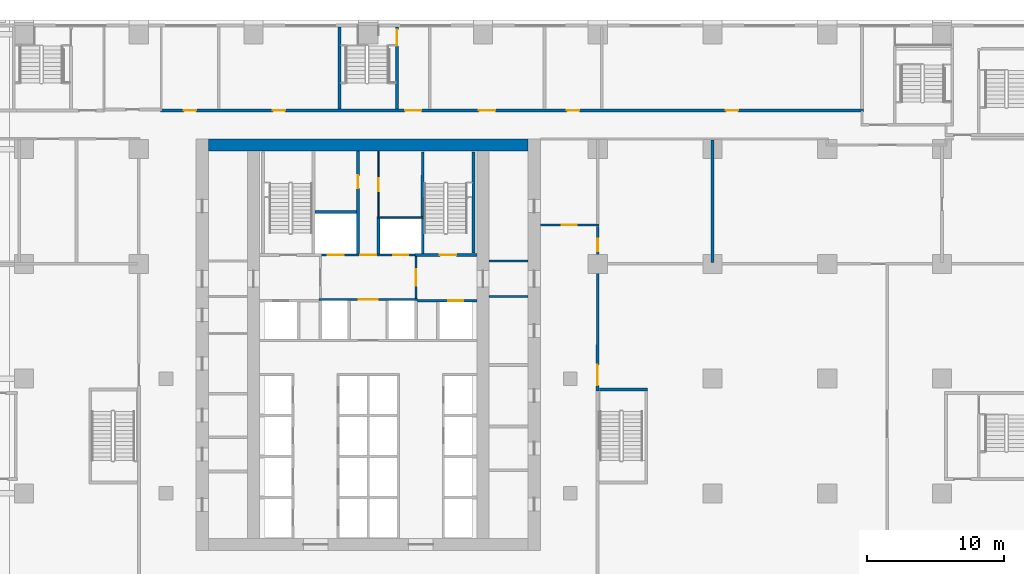
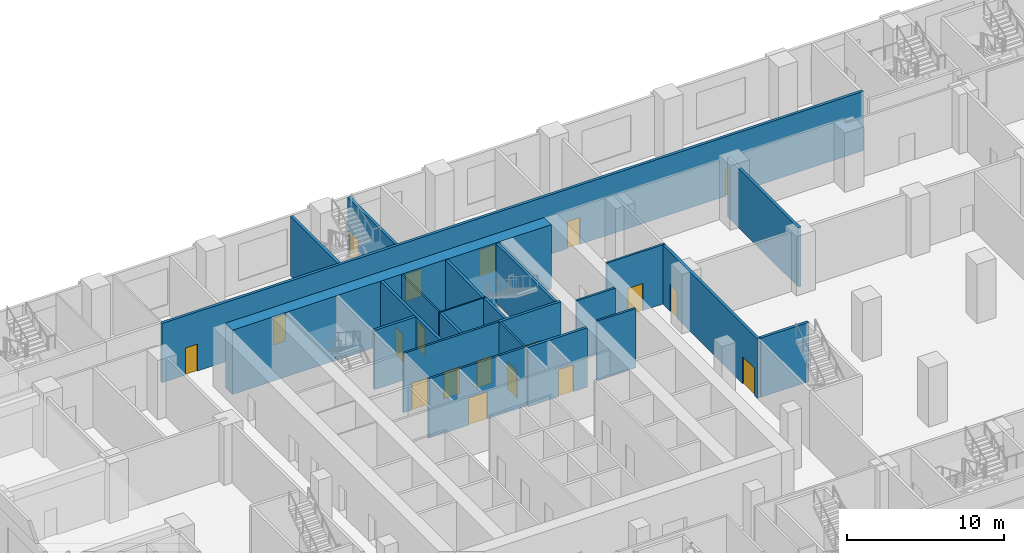
# One storey, part 14 of 29: 23 walls, 19 doors, 19 openings.
"""IFC4 building model written with IfcOpenShell, lengths in metres."""

import ifcopenshell
import ifcopenshell.guid

model = None  # the IFC model being written
_history = None  # IfcOwnerHistory: only IFC2X3 demands one
_inside = {}  # id of a spatial element -> (the spatial element, [elements in it])
_under = {}  # id of a project, library or spatial element -> (it, [spatial elements below it])
_declared = {}  # id of a project -> (the project, [libraries it declares])
_typed = {}  # id of a type object -> (the type object, [elements of that type])
_made_of = {}  # id of a material, layer set ... -> (it, [elements and type objects made of it])


def new_model(schema):
    """Start an empty IFC model of exactly this schema.

    Asked for "IFC4X3", IfcOpenShell would pick the latest addendum, in which some entities
    have other attributes; the version numbers below select the first issue.
    IFC2X3 requires an IfcOwnerHistory on every rooted entity: one is made here for all.
    """
    global model, _history
    if schema == "IFC4X3":
        model = ifcopenshell.file(schema_version=(4, 3, 0, 0))
    else:
        model = ifcopenshell.file(schema=schema)
    _inside.clear()
    _under.clear()
    _declared.clear()
    _typed.clear()
    _made_of.clear()
    _history = None
    if model.schema == "IFC2X3":
        org = make("IfcOrganization", Name="unknown")
        user = make(
            "IfcPersonAndOrganization",
            ThePerson=make("IfcPerson", FamilyName="unknown"),
            TheOrganization=org,
        )
        app = make(
            "IfcApplication",
            ApplicationDeveloper=org,
            Version="unknown",
            ApplicationFullName="unknown",
            ApplicationIdentifier="unknown",
        )
        _history = make(
            "IfcOwnerHistory",
            OwningUser=user,
            OwningApplication=app,
            ChangeAction="ADDED",
            CreationDate=0,
        )
    return model


def make(cls, **values):
    """One entity of the class cls with the attributes given. An attribute that is None is left unset."""
    return model.create_entity(
        cls, **{name: value for name, value in values.items() if value is not None}
    )


def rooted(cls, **values):
    """An entity with a GlobalId (a new one), such as an element, a storey or a relation."""
    return make(cls, GlobalId=ifcopenshell.guid.new(), OwnerHistory=_history, **values)


def si_unit(unit_type, name, prefix=None):
    """IfcSIUnit, for example si_unit("LENGTHUNIT", "METRE", prefix="MILLI")."""
    return make("IfcSIUnit", UnitType=unit_type, Prefix=prefix, Name=name)


def assignment(units):
    """IfcUnitAssignment: the units of a project."""
    return None if units is None else make("IfcUnitAssignment", Units=units)


def point(xyz):
    """IfcCartesianPoint."""
    return None if xyz is None else make("IfcCartesianPoint", Coordinates=xyz)


def direction(xyz):
    """IfcDirection."""
    return None if xyz is None else make("IfcDirection", DirectionRatios=xyz)


def frame(location, z_axis=None, x_axis=None):
    """IfcAxis2Placement3D, a coordinate frame: its origin and axes. An axis left out is left unset."""
    return make(
        "IfcAxis2Placement3D",
        Location=point(location),
        Axis=direction(z_axis),
        RefDirection=direction(x_axis),
    )


def frame_2d(location, x_axis=None):
    """IfcAxis2Placement2D, a coordinate frame in the plane: its origin and x axis."""
    return make(
        "IfcAxis2Placement2D", Location=point(location), RefDirection=direction(x_axis)
    )


def origin():
    """The frame at (0, 0, 0) with its axes left unset."""
    return frame((0.0, 0.0, 0.0))


def place(relative_to, where):
    """IfcLocalPlacement: puts the frame where relative to a parent placement (None: the world)."""
    return make(
        "IfcLocalPlacement", PlacementRelTo=relative_to, RelativePlacement=where
    )


def context(
    kind, dimensions, precision=None, world=None, true_north=None, identifier=None
):
    """IfcGeometricRepresentationContext, for example the 3D "Model" context."""
    return make(
        "IfcGeometricRepresentationContext",
        ContextIdentifier=identifier,
        ContextType=kind,
        CoordinateSpaceDimension=dimensions,
        Precision=precision,
        WorldCoordinateSystem=world,
        TrueNorth=true_north,
    )


def subcontext(parent, identifier, kind, view, scale=None):
    """IfcGeometricRepresentationSubContext, for example "Body" below "Model"."""
    return make(
        "IfcGeometricRepresentationSubContext",
        ContextIdentifier=identifier,
        ContextType=kind,
        ParentContext=parent,
        TargetScale=scale,
        TargetView=view,
    )


def project(units=None, contexts=None):
    """IfcProject with its units and contexts."""
    return rooted(
        "IfcProject",
        Name="project",
        RepresentationContexts=contexts,
        UnitsInContext=assignment(units),
    )


def spatial(cls, under=None, at=None, **own):
    """A site, building, storey or space (cls), placed at a placement, below another one or the project."""
    s = rooted(cls, ObjectPlacement=at, **own)
    if under is not None:
        _under.setdefault(under.id(), (under, []))[1].append(s)
    return s


def profile(cls, at=None, kind="AREA", **sizes):
    """A parametric profile (cls). Its sizes go by their IFC names, for example OverallWidth=200.0."""
    return make(cls, ProfileType=kind, Position=at, **sizes)


def rectangle(**sizes):
    """IfcRectangleProfileDef."""
    return profile("IfcRectangleProfileDef", **sizes)


def extrude(swept, where, along, depth):
    """IfcExtrudedAreaSolid: the profile swept, set in the frame where, extruded along a direction by depth."""
    return make(
        "IfcExtrudedAreaSolid",
        SweptArea=swept,
        Position=where,
        ExtrudedDirection=direction(along),
        Depth=depth,
    )


def shape(context_of_items, identifier, shape_type, items):
    """IfcShapeRepresentation: the items that make up one representation, for example the "Body"."""
    return make(
        "IfcShapeRepresentation",
        ContextOfItems=context_of_items,
        RepresentationIdentifier=identifier,
        RepresentationType=shape_type,
        Items=items,
    )


def material(Name=None, Category=None):
    """IfcMaterial."""
    return make("IfcMaterial", Name=Name, Category=Category)


def layer(
    of_material, thickness, ventilated=None, Name=None, Category=None, Priority=None
):
    """IfcMaterialLayer: one layer of a wall or slab, of a material (None: an air gap)."""
    return make(
        "IfcMaterialLayer",
        Material=of_material,
        LayerThickness=thickness,
        IsVentilated=ventilated,
        Name=Name,
        Category=Category,
        Priority=Priority,
    )


def layer_set(layers, Name=None):
    """IfcMaterialLayerSet."""
    return make("IfcMaterialLayerSet", MaterialLayers=layers, LayerSetName=Name)


def made_of(thing, what):
    """Note that an element or type object is made of a material, layer set ...; save() writes the relation."""
    if what is not None:
        _made_of.setdefault(what.id(), (what, []))[1].append(thing)
    return thing


def type_object(cls, material=None, **own):
    """A type object (cls), such as IfcWallType, which elements share."""
    return made_of(rooted(cls, **own), material)


def element(
    cls,
    number,
    at=None,
    inside=None,
    cuts=None,
    type_object=None,
    material=None,
    context=None,
    identifier="Body",
    shape_type=None,
    held_by="IfcProductDefinitionShape",
    body=None,
    shapes=None,
    **own,
):
    """One element of the class cls, such as IfcWall. Its Tag is "e" and its number.

    at: its placement. inside: the storey or other place that contains it. cuts: it is an
    opening in that element (IfcRelVoidsElement). A single representation is given by context,
    identifier, shape_type and body (its items); several are given by shapes. held_by: the class
    of the entity that holds the representations. save() writes the other relations.
    """
    e = rooted(cls, Tag="e%d" % number, ObjectPlacement=at, **own)
    if body is not None:
        shapes = [shape(context, identifier, shape_type, body)]
    if shapes is not None:
        e.Representation = make(held_by, Representations=shapes)
    if inside is not None:
        _inside.setdefault(inside.id(), (inside, []))[1].append(e)
    if cuts is not None:
        rooted(
            "IfcRelVoidsElement", RelatingBuildingElement=cuts, RelatedOpeningElement=e
        )
    if type_object is not None:
        _typed.setdefault(type_object.id(), (type_object, []))[1].append(e)
    return made_of(e, material)


def fill(opening, filler):
    """IfcRelFillsElement: the door or window that sits in an opening."""
    return rooted(
        "IfcRelFillsElement",
        RelatingOpeningElement=opening,
        RelatedBuildingElement=filler,
    )


def aggregate(whole, parts):
    """IfcRelAggregates: a whole, such as a stair, and the parts it consists of."""
    return rooted("IfcRelAggregates", RelatingObject=whole, RelatedObjects=parts)


def save(model, path):
    """Write the relations noted so far, then the file.

    IfcRelAggregates (storeys below a building ...), IfcRelContainedInSpatialStructure (elements
    in a storey), IfcRelDefinesByType, IfcRelAssociatesMaterial and IfcRelDeclares: one each for
    every whole, place, type object, material and project.
    """
    for whole, parts in _under.values():
        aggregate(whole, parts)
    for where, things in _inside.values():
        rooted(
            "IfcRelContainedInSpatialStructure",
            RelatedElements=things,
            RelatingStructure=where,
        )
    for kind, things in _typed.values():
        rooted("IfcRelDefinesByType", RelatedObjects=things, RelatingType=kind)
    for what, things in _made_of.values():
        rooted("IfcRelAssociatesMaterial", RelatedObjects=things, RelatingMaterial=what)
    for by, libraries in _declared.values():
        rooted("IfcRelDeclares", RelatingContext=by, RelatedDefinitions=libraries)
    model.write(path)


model = new_model("IFC4")

# Units and contexts
model_context = context("Model", 3, precision=1e-05, world=origin(), true_north=direction((0.0, 1.0)))
body_context = subcontext(model_context, "Body", "Model", "MODEL_VIEW")
ifc_project = project(units=[si_unit("LENGTHUNIT", "METRE"), si_unit("AREAUNIT", "SQUARE_METRE"), si_unit("VOLUMEUNIT", "CUBIC_METRE"), si_unit("PLANEANGLEUNIT", "RADIAN"), si_unit("MASSUNIT", "GRAM", prefix="KILO")], contexts=[model_context])

# Site, building, storey
site_placement = place(None, origin())
site = spatial("IfcSite", under=ifc_project, at=site_placement, CompositionType="ELEMENT")
building_placement = place(site_placement, origin())
building = spatial("IfcBuilding", under=site, at=building_placement, Name="Vermilion Ogive Tower", CompositionType="ELEMENT")
storey_placement = place(building_placement, frame((0.0, 0.0, 7.5)))
storey = spatial("IfcBuildingStorey", under=building, at=storey_placement, Name="L01", CompositionType="ELEMENT", Elevation=7.5)

# Wall
ifc_material_1 = material(Name="Gypsum board partition on steel studs", Category="steel")
ifc_layer_1 = layer(ifc_material_1, 0.10009765625)
ifc_layer_set_1 = layer_set([ifc_layer_1], Name="Partition 100 bath")
wall_type_1 = type_object("IfcWallType", Name="Partition 100 bath", PredefinedType="PARTITIONING", material=ifc_layer_set_1)
wall_1_placement = place(storey_placement, frame((0.64990234375, 16.0, 0.0), z_axis=(0.0, 0.0, 1.0), x_axis=(1.0, 0.0, 0.0)))
element("IfcWall", 1, at=wall_1_placement, inside=storey, type_object=wall_type_1, Name="L01-CK-W-W020", PredefinedType="PARTITIONING", context=body_context, shape_type="SweptSolid", body=[
    extrude(rectangle(XDim=3.4501953125, YDim=0.10009765625, at=frame_2d((1.72509765625, 0.0))), origin(), (0.0, 0.0, 1.0), 4.60009765625),
])

# Wall, opening, door
wall_2_placement = place(storey_placement, frame((0.75, 16.050048828125, 0.0), z_axis=(0.0, 0.0, 1.0), x_axis=(0.0, 1.0, 0.0)))
wall_2 = element("IfcWall", 2, at=wall_2_placement, inside=storey, type_object=wall_type_1, Name="L01-CK-W-W032", PredefinedType="PARTITIONING", context=body_context, shape_type="SweptSolid", body=[
    extrude(rectangle(XDim=4.799072265625, YDim=0.10009765625, at=frame_2d((2.3994140625, 0.0))), origin(), (0.0, 0.0, 1.0), 4.60009765625),
])
opening_1_placement = place(wall_2_placement, frame((1.875, 0.0, 0.0)))
opening_1 = element("IfcOpeningElement", 3, at=opening_1_placement, cuts=wall_2, Name="Opening DAB038", PredefinedType="OPENING", context=body_context, shape_type="SweptSolid", body=[
    extrude(rectangle(XDim=0.949951171875, YDim=2.10009765625, at=frame_2d((0.47509765625, 1.050048828125))), frame((0.0, 0.06005859375, 0.0), z_axis=(0.0, -1.0, 0.0), x_axis=(1.0, 0.0, 0.0)), (0.0, 0.0, 1.0), 0.1201171875),
])
ifc_material_2 = material(Name="Timber door leaf", Category="wood")
door_type_1 = type_object("IfcDoorType", Name="Service door 950 x 2100 FD60", OperationType="SINGLE_SWING_LEFT", PredefinedType="DOOR", material=ifc_material_2)
door_1_placement = place(opening_1_placement, origin())
door_1 = element("IfcDoor", 4, at=door_1_placement, inside=storey, type_object=door_type_1, Name="L01-CK-D-D021", OperationType="SINGLE_SWING_LEFT", OverallHeight=2.10009765625, OverallWidth=0.949951171875, PredefinedType="DOOR", context=body_context, shape_type="SweptSolid", body=[
    extrude(rectangle(XDim=0.949951171875, YDim=2.10009765625, at=frame_2d((0.47509765625, 1.050048828125))), frame((0.0, 0.02490234375, 0.0), z_axis=(0.0, -1.0, 0.0), x_axis=(1.0, 0.0, 0.0)), (0.0, 0.0, 1.0), 0.050048828125),
])
fill(opening_1, door_1)

ifc_material_3 = material(Name="Gypsum board partition on steel studs", Category="steel")
ifc_layer_2 = layer(ifc_material_3, 0.14990234375)
ifc_layer_set_2 = layer_set([ifc_layer_2], Name="Partition 150 corridor")
wall_type_2 = type_object("IfcWallType", Name="Partition 150 corridor", PredefinedType="PARTITIONING", material=ifc_layer_set_2)
wall_3_placement = place(storey_placement, frame((12.60107421875, 15.449951171875, 0.0), z_axis=(0.0, 0.0, 1.0), x_axis=(1.0, 0.0, 0.0)))
wall_3 = element("IfcWall", 5, at=wall_3_placement, inside=storey, type_object=wall_type_2, Name="L01-FS-W-W029", PredefinedType="PARTITIONING", context=body_context, shape_type="SweptSolid", body=[
    extrude(rectangle(XDim=4.298828125, YDim=0.14990234375, at=frame_2d((2.1494140625, 0.0))), origin(), (0.0, 0.0, 1.0), 4.60009765625),
])
opening_2_placement = place(wall_3_placement, frame((1.549072265625, 0.0, 0.0)))
opening_2 = element("IfcOpeningElement", 6, at=opening_2_placement, cuts=wall_3, Name="Opening L01S022", PredefinedType="OPENING", context=body_context, shape_type="SweptSolid", body=[
    extrude(rectangle(XDim=1.10009765625, YDim=2.10009765625, at=frame_2d((0.550048828125, 1.050048828125))), frame((0.0, 0.0849609375, 0.0), z_axis=(0.0, -1.0, 0.0), x_axis=(1.0, 0.0, 0.0)), (0.0, 0.0, 1.0), 0.169921875),
])
ifc_material_4 = material(Name="Timber door leaf", Category="wood")
door_type_2 = type_object("IfcDoorType", Name="Fire door 1100 x 2100 FD30", OperationType="SINGLE_SWING_LEFT", PredefinedType="DOOR", material=ifc_material_4)
door_2_placement = place(opening_2_placement, origin())
door_2 = element("IfcDoor", 7, at=door_2_placement, inside=storey, type_object=door_type_2, Name="L01-FS-D-D022", OperationType="SINGLE_SWING_LEFT", OverallHeight=2.10009765625, OverallWidth=1.10009765625, PredefinedType="DOOR", context=body_context, shape_type="SweptSolid", body=[
    extrude(rectangle(XDim=1.10009765625, YDim=2.10009765625, at=frame_2d((0.550048828125, 1.050048828125))), frame((0.0, 0.02490234375, 0.0), z_axis=(0.0, -1.0, 0.0), x_axis=(1.0, 0.0, 0.0)), (0.0, 0.0, 1.0), 0.050048828125),
])
fill(opening_2, door_2)

wall_4_placement = place(storey_placement, frame((-3.60009765625, 10.0, 0.0), z_axis=(0.0, 0.0, 1.0), x_axis=(1.0, 0.0, 0.0)))
wall_4 = element("IfcWall", 8, at=wall_4_placement, inside=storey, type_object=wall_type_2, Name="L01-CK-W-W016", PredefinedType="PARTITIONING", context=body_context, shape_type="SweptSolid", body=[
    extrude(rectangle(XDim=7.2001953125, YDim=0.14990234375, at=frame_2d((3.60009765625, 0.0))), origin(), (0.0, 0.0, 1.0), 4.60009765625),
])
opening_3_placement = place(wall_4_placement, frame((2.900146484375, 0.0, 0.0)))
opening_3 = element("IfcOpeningElement", 9, at=opening_3_placement, cuts=wall_4, Name="Opening DAB035", PredefinedType="OPENING", context=body_context, shape_type="SweptSolid", body=[
    extrude(rectangle(XDim=1.39990234375, YDim=2.10009765625, at=frame_2d((0.699951171875, 1.050048828125))), frame((0.0, 0.0849609375, 0.0), z_axis=(0.0, -1.0, 0.0), x_axis=(1.0, 0.0, 0.0)), (0.0, 0.0, 1.0), 0.169921875),
])
ifc_material_5 = material(Name="Timber door leaf", Category="wood")
door_type_3 = type_object("IfcDoorType", Name="Lobby door 1400 x 2100 FD60S", OperationType="SINGLE_SWING_LEFT", PredefinedType="DOOR", material=ifc_material_5)
door_3_placement = place(opening_3_placement, origin())
door_3 = element("IfcDoor", 10, at=door_3_placement, inside=storey, type_object=door_type_3, Name="L01-CK-D-D016", OperationType="SINGLE_SWING_RIGHT", OverallHeight=2.10009765625, OverallWidth=1.39990234375, PredefinedType="DOOR", context=body_context, shape_type="SweptSolid", body=[
    extrude(rectangle(XDim=1.39990234375, YDim=2.10009765625, at=frame_2d((0.699951171875, 1.050048828125))), frame((0.0, 0.02490234375, 0.0), z_axis=(0.0, -1.0, 0.0), x_axis=(1.0, 0.0, 0.0)), (0.0, 0.0, 1.0), 0.050048828125),
])
fill(opening_3, door_3)

# Wall, openings, doors
wall_5_placement = place(storey_placement, frame((-3.574951171875, 13.25, 0.0), z_axis=(0.0, 0.0, 1.0), x_axis=(1.0, 0.0, 0.0)))
wall_5 = element("IfcWall", 11, at=wall_5_placement, inside=storey, type_object=wall_type_2, Name="L01-CK-W-W018", PredefinedType="PARTITIONING", context=body_context, shape_type="SweptSolid", body=[
    extrude(rectangle(XDim=7.14990234375, YDim=0.14990234375, at=frame_2d((3.574951171875, 0.0))), origin(), (0.0, 0.0, 1.0), 4.60009765625),
])
opening_4_placement = place(wall_5_placement, frame((0.599853515625, 0.0, 0.0)))
opening_4 = element("IfcOpeningElement", 12, at=opening_4_placement, cuts=wall_5, Name="Opening DAB054", PredefinedType="OPENING", context=body_context, shape_type="SweptSolid", body=[
    extrude(rectangle(XDim=1.199951171875, YDim=2.10009765625, at=frame_2d((0.60009765625, 1.050048828125))), frame((0.0, 0.0849609375, 0.0), z_axis=(0.0, -1.0, 0.0), x_axis=(1.0, 0.0, 0.0)), (0.0, 0.0, 1.0), 0.169921875),
])
opening_5_placement = place(wall_5_placement, frame((5.39990234375, 0.0, 0.0)))
opening_5 = element("IfcOpeningElement", 13, at=opening_5_placement, cuts=wall_5, Name="Opening DAB045", PredefinedType="OPENING", context=body_context, shape_type="SweptSolid", body=[
    extrude(rectangle(XDim=1.10009765625, YDim=2.10009765625, at=frame_2d((0.550048828125, 1.050048828125))), frame((0.0, 0.0849609375, 0.0), z_axis=(0.0, -1.0, 0.0), x_axis=(1.0, 0.0, 0.0)), (0.0, 0.0, 1.0), 0.169921875),
])
opening_6_placement = place(wall_5_placement, frame((2.974853515625, 0.0, 0.0)))
opening_6 = element("IfcOpeningElement", 14, at=opening_6_placement, cuts=wall_5, Name="Opening DAB036", PredefinedType="OPENING", context=body_context, shape_type="SweptSolid", body=[
    extrude(rectangle(XDim=1.199951171875, YDim=2.10009765625, at=frame_2d((0.60009765625, 1.050048828125))), frame((0.0, 0.0849609375, 0.0), z_axis=(0.0, -1.0, 0.0), x_axis=(1.0, 0.0, 0.0)), (0.0, 0.0, 1.0), 0.169921875),
])
ifc_material_6 = material(Name="Stainless steel", Category="steel")
door_type_4 = type_object("IfcDoorType", Name="Lift landing door 1100 x 2100", OperationType="SLIDING_TO_LEFT", PredefinedType="DOOR", material=ifc_material_6)
door_4_placement = place(opening_5_placement, origin())
door_4 = element("IfcDoor", 15, at=door_4_placement, inside=storey, type_object=door_type_4, Name="L01-CK-D-D018", OperationType="SLIDING_TO_LEFT", OverallHeight=2.10009765625, OverallWidth=1.10009765625, PredefinedType="DOOR", context=body_context, shape_type="SweptSolid", body=[
    extrude(rectangle(XDim=1.10009765625, YDim=2.10009765625, at=frame_2d((0.550048828125, 1.050048828125))), frame((0.0, 0.02490234375, 0.0), z_axis=(0.0, -1.0, 0.0), x_axis=(1.0, 0.0, 0.0)), (0.0, 0.0, 1.0), 0.050048828125),
])
fill(opening_5, door_4)
ifc_material_7 = material(Name="Stainless steel", Category="steel")
door_type_5 = type_object("IfcDoorType", Name="Lift landing door 1200 x 2100", OperationType="SLIDING_TO_LEFT", PredefinedType="DOOR", material=ifc_material_7)
door_5_placement = place(opening_4_placement, origin())
door_5 = element("IfcDoor", 16, at=door_5_placement, inside=storey, type_object=door_type_5, Name="L01-CK-D-D017", OperationType="SLIDING_TO_RIGHT", OverallHeight=2.10009765625, OverallWidth=1.199951171875, PredefinedType="DOOR", context=body_context, shape_type="SweptSolid", body=[
    extrude(rectangle(XDim=1.199951171875, YDim=2.10009765625, at=frame_2d((0.60009765625, 1.050048828125))), frame((0.0, 0.02490234375, 0.0), z_axis=(0.0, -1.0, 0.0), x_axis=(1.0, 0.0, 0.0)), (0.0, 0.0, 1.0), 0.050048828125),
])
fill(opening_4, door_5)
ifc_material_8 = material(Name="Timber door leaf", Category="wood")
door_type_6 = type_object("IfcDoorType", Name="Service door 1200 x 2100 FD60", OperationType="SINGLE_SWING_LEFT", PredefinedType="DOOR", material=ifc_material_8)
door_6_placement = place(opening_6_placement, origin())
door_6 = element("IfcDoor", 17, at=door_6_placement, inside=storey, type_object=door_type_6, Name="L01-CK-D-D019", OperationType="SINGLE_SWING_RIGHT", OverallHeight=2.10009765625, OverallWidth=1.199951171875, PredefinedType="DOOR", context=body_context, shape_type="SweptSolid", body=[
    extrude(rectangle(XDim=1.199951171875, YDim=2.10009765625, at=frame_2d((0.60009765625, 1.050048828125))), frame((0.0, 0.02490234375, 0.0), z_axis=(0.0, -1.0, 0.0), x_axis=(1.0, 0.0, 0.0)), (0.0, 0.0, 1.0), 0.050048828125),
])
fill(opening_6, door_6)

# Wall, opening, door
wall_6_placement = place(storey_placement, frame((3.5, 10.074951171875, 0.0), z_axis=(0.0, 0.0, 1.0), x_axis=(0.0, 1.0, 0.0)))
wall_6 = element("IfcWall", 18, at=wall_6_placement, inside=storey, type_object=wall_type_2, Name="L01-CK-W-W036", PredefinedType="PARTITIONING", context=body_context, shape_type="SweptSolid", body=[
    extrude(rectangle(XDim=3.074951171875, YDim=0.14990234375, at=frame_2d((1.53759765625, 0.0))), origin(), (0.0, 0.0, 1.0), 4.60009765625),
])
opening_7_placement = place(wall_6_placement, frame((0.925048828125, 0.0, 0.0)))
opening_7 = element("IfcOpeningElement", 19, at=opening_7_placement, cuts=wall_6, Name="Opening DAB033", PredefinedType="OPENING", context=body_context, shape_type="SweptSolid", body=[
    extrude(rectangle(XDim=1.199951171875, YDim=2.10009765625, at=frame_2d((0.60009765625, 1.050048828125))), frame((0.0, 0.0849609375, 0.0), z_axis=(0.0, -1.0, 0.0), x_axis=(1.0, 0.0, 0.0)), (0.0, 0.0, 1.0), 0.169921875),
])
ifc_material_9 = material(Name="Timber door leaf", Category="wood")
door_type_7 = type_object("IfcDoorType", Name="Lobby door 1200 x 2100 FD60S", OperationType="SINGLE_SWING_LEFT", PredefinedType="DOOR", material=ifc_material_9)
door_7_placement = place(opening_7_placement, origin())
door_7 = element("IfcDoor", 20, at=door_7_placement, inside=storey, type_object=door_type_7, Name="L01-CK-D-D023", OperationType="SINGLE_SWING_LEFT", OverallHeight=2.10009765625, OverallWidth=1.199951171875, PredefinedType="DOOR", context=body_context, shape_type="SweptSolid", body=[
    extrude(rectangle(XDim=1.199951171875, YDim=2.10009765625, at=frame_2d((0.60009765625, 1.050048828125))), frame((0.0, 0.02490234375, 0.0), z_axis=(0.0, -1.0, 0.0), x_axis=(1.0, 0.0, 0.0)), (0.0, 0.0, 1.0), 0.050048828125),
])
fill(opening_7, door_7)

# Walls
for number, where, z_axis, x_axis, name in (
    (21, (8.85107421875, 10.199951171875, 0.0), (0.0, 0.0, 1.0), (1.0, 0.0, 0.0), "L01-CKE-W-W004"),
    (22, (8.85107421875, 12.800048828125, 0.0), (0.0, 0.0, 1.0), (1.0, 0.0, 0.0), "L01-CKE-W-W005"),
):
    element("IfcWall", number, at=place(storey_placement, frame(where, z_axis=z_axis, x_axis=x_axis)), inside=storey, type_object=wall_type_2, Name=name, PredefinedType="PARTITIONING", context=body_context, shape_type="SweptSolid", body=[
        extrude(rectangle(XDim=2.847900390625, YDim=0.14990234375, at=frame_2d((1.423828125, 0.0))), origin(), (0.0, 0.0, 1.0), 4.60009765625),
    ])
ifc_material_10 = material(Name="Gypsum board partition on steel studs", Category="steel")
ifc_layer_3 = layer(ifc_material_10, 0.199951171875)
ifc_layer_set_3 = layer_set([ifc_layer_3], Name="Partition 200 party")
wall_type_3 = type_object("IfcWallType", Name="Partition 200 party", PredefinedType="PARTITIONING", material=ifc_layer_set_3)
wall_7_placement = place(storey_placement, frame((25.199951171875, 12.699951171875, 0.0), z_axis=(0.0, 0.0, 1.0), x_axis=(0.0, 1.0, 0.0)))
element("IfcWall", 23, at=wall_7_placement, inside=storey, type_object=wall_type_3, Name="L01-FS-W-W086", PredefinedType="PARTITIONING", context=body_context, shape_type="SweptSolid", body=[
    extrude(rectangle(XDim=8.97509765625, YDim=0.199951171875, at=frame_2d((4.487548828125, 0.0))), origin(), (0.0, 0.0, 1.0), 4.60009765625),
])

# Wall, opening, door
wall_8_placement = place(storey_placement, frame((3.60009765625, 9.89990234375, 0.0), z_axis=(0.0, 0.0, 1.0), x_axis=(1.0, 0.0, 0.0)))
wall_8 = element("IfcWall", 24, at=wall_8_placement, inside=storey, type_object=wall_type_3, Name="L01-CK-W-W015", PredefinedType="PARTITIONING", context=body_context, shape_type="SweptSolid", body=[
    extrude(rectangle(XDim=4.348876953125, YDim=0.199951171875, at=frame_2d((2.17431640625, 0.0))), origin(), (0.0, 0.0, 1.0), 4.60009765625),
])
opening_8_placement = place(wall_8_placement, frame((2.25, 0.0, 0.0)))
opening_8 = element("IfcOpeningElement", 25, at=opening_8_placement, cuts=wall_8, Name="Opening DAB044", PredefinedType="OPENING", context=body_context, shape_type="SweptSolid", body=[
    extrude(rectangle(XDim=1.10009765625, YDim=2.10009765625, at=frame_2d((0.550048828125, 1.050048828125))), frame((0.0, 0.10986328125, 0.0), z_axis=(0.0, -1.0, 0.0), x_axis=(1.0, 0.0, 0.0)), (0.0, 0.0, 1.0), 0.219970703125),
])
door_8_placement = place(opening_8_placement, origin())
door_8 = element("IfcDoor", 26, at=door_8_placement, inside=storey, type_object=door_type_4, Name="L01-CK-D-D014", OperationType="SLIDING_TO_LEFT", OverallHeight=2.10009765625, OverallWidth=1.10009765625, PredefinedType="DOOR", context=body_context, shape_type="SweptSolid", body=[
    extrude(rectangle(XDim=1.10009765625, YDim=2.10009765625, at=frame_2d((0.550048828125, 1.050048828125))), frame((0.0, 0.02490234375, 0.0), z_axis=(0.0, -1.0, 0.0), x_axis=(1.0, 0.0, 0.0)), (0.0, 0.0, 1.0), 0.050048828125),
])
fill(opening_8, door_8)

# Wall
wall_9_placement = place(storey_placement, frame((-3.89990234375, 16.39990234375, 0.0), z_axis=(0.0, 0.0, 1.0), x_axis=(1.0, 0.0, 0.0)))
element("IfcWall", 27, at=wall_9_placement, inside=storey, type_object=wall_type_3, Name="L01-CK-W-W021", PredefinedType="PARTITIONING", context=body_context, shape_type="SweptSolid", body=[
    extrude(rectangle(XDim=3.0498046875, YDim=0.199951171875, at=frame_2d((1.52490234375, 0.0))), origin(), (0.0, 0.0, 1.0), 4.60009765625),
])

# Wall, opening, door
wall_10_placement = place(storey_placement, frame((-0.75, 13.324951171875, 0.0), z_axis=(0.0, 0.0, 1.0), x_axis=(0.0, 1.0, 0.0)))
wall_10 = element("IfcWall", 28, at=wall_10_placement, inside=storey, type_object=wall_type_3, Name="L01-CK-W-W029", PredefinedType="PARTITIONING", context=body_context, shape_type="SweptSolid", body=[
    extrude(rectangle(XDim=7.524169921875, YDim=0.199951171875, at=frame_2d((3.76220703125, 0.0))), origin(), (0.0, 0.0, 1.0), 4.60009765625),
])
opening_9_placement = place(wall_10_placement, frame((4.800048828125, 0.0, 0.0)))
opening_9 = element("IfcOpeningElement", 29, at=opening_9_placement, cuts=wall_10, Name="Opening DAB037", PredefinedType="OPENING", context=body_context, shape_type="SweptSolid", body=[
    extrude(rectangle(XDim=0.949951171875, YDim=2.10009765625, at=frame_2d((0.47509765625, 1.050048828125))), frame((0.0, 0.10986328125, 0.0), z_axis=(0.0, -1.0, 0.0), x_axis=(1.0, 0.0, 0.0)), (0.0, 0.0, 1.0), 0.219970703125),
])
door_9_placement = place(opening_9_placement, origin())
door_9 = element("IfcDoor", 30, at=door_9_placement, inside=storey, type_object=door_type_1, Name="L01-CK-D-D020", OperationType="SINGLE_SWING_RIGHT", OverallHeight=2.10009765625, OverallWidth=0.949951171875, PredefinedType="DOOR", context=body_context, shape_type="SweptSolid", body=[
    extrude(rectangle(XDim=0.949951171875, YDim=2.10009765625, at=frame_2d((0.47509765625, 1.050048828125))), frame((0.0, 0.02490234375, 0.0), z_axis=(0.0, -1.0, 0.0), x_axis=(1.0, 0.0, 0.0)), (0.0, 0.0, 1.0), 0.050048828125),
])
fill(opening_9, door_9)

# Walls
wall_11_placement = place(storey_placement, frame((0.75, 13.324951171875, 0.0), z_axis=(0.0, 0.0, 1.0), x_axis=(0.0, 1.0, 0.0)))
element("IfcWall", 31, at=wall_11_placement, inside=storey, type_object=wall_type_3, Name="L01-CK-W-W031", PredefinedType="PARTITIONING", context=body_context, shape_type="SweptSolid", body=[
    extrude(rectangle(XDim=2.625, YDim=0.199951171875, at=frame_2d((1.3125, 0.0))), origin(), (0.0, 0.0, 1.0), 4.60009765625),
])
ifc_material_11 = material(Name="Concrete B60", Category="concrete")
ifc_layer_4 = layer(ifc_material_11, 0.199951171875)
ifc_layer_set_4 = layer_set([ifc_layer_4], Name="Stair shaft wall 200 Concrete B60")
wall_type_4 = type_object("IfcWallType", Name="Stair shaft wall 200 Concrete B60", PredefinedType="SOLIDWALL", material=ifc_layer_set_4)
wall_12_placement = place(storey_placement, frame((-11.699951171875, 21.300048828125, -0.39990234375), z_axis=(0.0, 0.0, 1.0), x_axis=(1.0, 0.0, 0.0)))
element("IfcWall", 32, at=wall_12_placement, inside=storey, type_object=wall_type_4, Name="L01-CORE-N", PredefinedType="SOLIDWALL", context=body_context, shape_type="SweptSolid", body=[
    extrude(rectangle(XDim=23.39990234375, YDim=0.89990234375, at=frame_2d((11.699951171875, 0.0))), origin(), (0.0, 0.0, 1.0), 5.0),
])

# Wall, openings, doors
wall_13_placement = place(storey_placement, frame((-15.199951171875, 23.8251953125, 0.0), z_axis=(0.0, 0.0, 1.0), x_axis=(1.0, 0.0, 0.0)))
wall_13 = element("IfcWall", 33, at=wall_13_placement, inside=storey, type_object=wall_type_4, Name="L01-FS-W-W039", PredefinedType="SOLIDWALL", context=body_context, shape_type="SweptSolid", body=[
    extrude(rectangle(XDim=51.449951171875, YDim=0.199951171875, at=frame_2d((25.72509765625, 0.0))), origin(), (0.0, 0.0, 1.0), 4.60009765625),
])
opening_10_placement = place(wall_13_placement, frame((17.89990234375, 0.0, 0.0)))
opening_10 = element("IfcOpeningElement", 34, at=opening_10_placement, cuts=wall_13, Name="Opening L01S016", PredefinedType="OPENING", context=body_context, shape_type="SweptSolid", body=[
    extrude(rectangle(XDim=1.199951171875, YDim=2.10009765625, at=frame_2d((0.60009765625, 1.050048828125))), frame((0.0, 0.10986328125, 0.0), z_axis=(0.0, -1.0, 0.0), x_axis=(1.0, 0.0, 0.0)), (0.0, 0.0, 1.0), 0.219970703125),
])
opening_11_placement = place(wall_13_placement, frame((1.699951171875, 0.0, 0.0)))
opening_11 = element("IfcOpeningElement", 35, at=opening_11_placement, cuts=wall_13, Name="Opening L01S056", PredefinedType="OPENING", context=body_context, shape_type="SweptSolid", body=[
    extrude(rectangle(XDim=0.89990234375, YDim=2.10009765625, at=frame_2d((0.449951171875, 1.050048828125))), frame((0.0, 0.10986328125, 0.0), z_axis=(0.0, -1.0, 0.0), x_axis=(1.0, 0.0, 0.0)), (0.0, 0.0, 1.0), 0.219970703125),
])
opening_12_placement = place(wall_13_placement, frame((8.224853515625, 0.0, 0.0)))
opening_12 = element("IfcOpeningElement", 36, at=opening_12_placement, cuts=wall_13, Name="Opening L01S057", PredefinedType="OPENING", context=body_context, shape_type="SweptSolid", body=[
    extrude(rectangle(XDim=0.89990234375, YDim=2.10009765625, at=frame_2d((0.449951171875, 1.050048828125))), frame((0.0, 0.10986328125, 0.0), z_axis=(0.0, -1.0, 0.0), x_axis=(1.0, 0.0, 0.0)), (0.0, 0.0, 1.0), 0.219970703125),
])
opening_13_placement = place(wall_13_placement, frame((23.300048828125, 0.0, 0.0)))
opening_13 = element("IfcOpeningElement", 37, at=opening_13_placement, cuts=wall_13, Name="Opening L01S058", PredefinedType="OPENING", context=body_context, shape_type="SweptSolid", body=[
    extrude(rectangle(XDim=1.199951171875, YDim=2.10009765625, at=frame_2d((0.60009765625, 1.050048828125))), frame((0.0, 0.10986328125, 0.0), z_axis=(0.0, -1.0, 0.0), x_axis=(1.0, 0.0, 0.0)), (0.0, 0.0, 1.0), 0.219970703125),
])
opening_14_placement = place(wall_13_placement, frame((29.75, 0.0, 0.0)))
opening_14 = element("IfcOpeningElement", 38, at=opening_14_placement, cuts=wall_13, Name="Opening L01S059", PredefinedType="OPENING", context=body_context, shape_type="SweptSolid", body=[
    extrude(rectangle(XDim=0.89990234375, YDim=2.10009765625, at=frame_2d((0.449951171875, 1.050048828125))), frame((0.0, 0.10986328125, 0.0), z_axis=(0.0, -1.0, 0.0), x_axis=(1.0, 0.0, 0.0)), (0.0, 0.0, 1.0), 0.219970703125),
])
opening_15_placement = place(wall_13_placement, frame((41.375, 0.0, 0.0)))
opening_15 = element("IfcOpeningElement", 39, at=opening_15_placement, cuts=wall_13, Name="Opening L01S060", PredefinedType="OPENING", context=body_context, shape_type="SweptSolid", body=[
    extrude(rectangle(XDim=0.89990234375, YDim=2.10009765625, at=frame_2d((0.449951171875, 1.050048828125))), frame((0.0, 0.10986328125, 0.0), z_axis=(0.0, -1.0, 0.0), x_axis=(1.0, 0.0, 0.0)), (0.0, 0.0, 1.0), 0.219970703125),
])
ifc_material_12 = material(Name="Timber door leaf", Category="wood")
door_type_8 = type_object("IfcDoorType", Name="Room door 1200 x 2100 FD30", OperationType="SINGLE_SWING_LEFT", PredefinedType="DOOR", material=ifc_material_12)
door_10_placement = place(opening_13_placement, origin())
door_10 = element("IfcDoor", 40, at=door_10_placement, inside=storey, type_object=door_type_8, Name="L01-FS-D-D058", OperationType="SINGLE_SWING_LEFT", OverallHeight=2.10009765625, OverallWidth=1.199951171875, PredefinedType="DOOR", context=body_context, shape_type="SweptSolid", body=[
    extrude(rectangle(XDim=1.199951171875, YDim=2.10009765625, at=frame_2d((0.60009765625, 1.050048828125))), frame((0.0, 0.02490234375, 0.0), z_axis=(0.0, -1.0, 0.0), x_axis=(1.0, 0.0, 0.0)), (0.0, 0.0, 1.0), 0.050048828125),
])
fill(opening_13, door_10)
ifc_material_13 = material(Name="Timber door leaf", Category="wood")
door_type_9 = type_object("IfcDoorType", Name="Room door 900 x 2100 FD30", OperationType="SINGLE_SWING_LEFT", PredefinedType="DOOR", material=ifc_material_13)
door_11_placement = place(opening_11_placement, origin())
door_11 = element("IfcDoor", 41, at=door_11_placement, inside=storey, type_object=door_type_9, Name="L01-FS-D-D056", OperationType="SINGLE_SWING_RIGHT", OverallHeight=2.10009765625, OverallWidth=0.89990234375, PredefinedType="DOOR", context=body_context, shape_type="SweptSolid", body=[
    extrude(rectangle(XDim=0.89990234375, YDim=2.10009765625, at=frame_2d((0.449951171875, 1.050048828125))), frame((0.0, 0.02490234375, 0.0), z_axis=(0.0, -1.0, 0.0), x_axis=(1.0, 0.0, 0.0)), (0.0, 0.0, 1.0), 0.050048828125),
])
fill(opening_11, door_11)
door_12_placement = place(opening_12_placement, origin())
door_12 = element("IfcDoor", 42, at=door_12_placement, inside=storey, type_object=door_type_9, Name="L01-FS-D-D057", OperationType="SINGLE_SWING_RIGHT", OverallHeight=2.10009765625, OverallWidth=0.89990234375, PredefinedType="DOOR", context=body_context, shape_type="SweptSolid", body=[
    extrude(rectangle(XDim=0.89990234375, YDim=2.10009765625, at=frame_2d((0.449951171875, 1.050048828125))), frame((0.0, 0.02490234375, 0.0), z_axis=(0.0, -1.0, 0.0), x_axis=(1.0, 0.0, 0.0)), (0.0, 0.0, 1.0), 0.050048828125),
])
fill(opening_12, door_12)
door_13_placement = place(opening_14_placement, origin())
door_13 = element("IfcDoor", 43, at=door_13_placement, inside=storey, type_object=door_type_9, Name="L01-FS-D-D059", OperationType="SINGLE_SWING_RIGHT", OverallHeight=2.10009765625, OverallWidth=0.89990234375, PredefinedType="DOOR", context=body_context, shape_type="SweptSolid", body=[
    extrude(rectangle(XDim=0.89990234375, YDim=2.10009765625, at=frame_2d((0.449951171875, 1.050048828125))), frame((0.0, 0.02490234375, 0.0), z_axis=(0.0, -1.0, 0.0), x_axis=(1.0, 0.0, 0.0)), (0.0, 0.0, 1.0), 0.050048828125),
])
fill(opening_14, door_13)
door_14_placement = place(opening_15_placement, origin())
door_14 = element("IfcDoor", 44, at=door_14_placement, inside=storey, type_object=door_type_9, Name="L01-FS-D-D060", OperationType="SINGLE_SWING_RIGHT", OverallHeight=2.10009765625, OverallWidth=0.89990234375, PredefinedType="DOOR", context=body_context, shape_type="SweptSolid", body=[
    extrude(rectangle(XDim=0.89990234375, YDim=2.10009765625, at=frame_2d((0.449951171875, 1.050048828125))), frame((0.0, 0.02490234375, 0.0), z_axis=(0.0, -1.0, 0.0), x_axis=(1.0, 0.0, 0.0)), (0.0, 0.0, 1.0), 0.050048828125),
])
fill(opening_15, door_14)
ifc_material_14 = material(Name="Timber door leaf", Category="wood")
door_type_10 = type_object("IfcDoorType", Name="Stair door 1200 x 2100 FD60S", OperationType="SINGLE_SWING_LEFT", PredefinedType="DOOR", material=ifc_material_14)
door_15_placement = place(opening_10_placement, origin())
door_15 = element("IfcDoor", 45, at=door_15_placement, inside=storey, type_object=door_type_10, Name="L01-FS-D-D016", OperationType="SINGLE_SWING_RIGHT", OverallHeight=2.10009765625, OverallWidth=1.199951171875, PredefinedType="DOOR", context=body_context, shape_type="SweptSolid", body=[
    extrude(rectangle(XDim=1.199951171875, YDim=2.10009765625, at=frame_2d((0.60009765625, 1.050048828125))), frame((0.0, 0.02490234375, 0.0), z_axis=(0.0, -1.0, 0.0), x_axis=(1.0, 0.0, 0.0)), (0.0, 0.0, 1.0), 0.050048828125),
])
fill(opening_10, door_15)

# Wall, opening, door
wall_14_placement = place(storey_placement, frame((2.10009765625, 23.925048828125, 0.0), z_axis=(0.0, 0.0, 1.0), x_axis=(0.0, 1.0, 0.0)))
wall_14 = element("IfcWall", 46, at=wall_14_placement, inside=storey, type_object=wall_type_4, Name="L01-FS-W-W069", PredefinedType="SOLIDWALL", context=body_context, shape_type="SweptSolid", body=[
    extrude(rectangle(XDim=6.02490234375, YDim=0.199951171875, at=frame_2d((3.012451171875, 0.0))), origin(), (0.0, 0.0, 1.0), 4.60009765625),
])
opening_16_placement = place(wall_14_placement, frame((4.625, 0.0, 0.0)))
opening_16 = element("IfcOpeningElement", 47, at=opening_16_placement, cuts=wall_14, Name="Opening L01S005", PredefinedType="OPENING", context=body_context, shape_type="SweptSolid", body=[
    extrude(rectangle(XDim=1.199951171875, YDim=2.10009765625, at=frame_2d((0.60009765625, 1.050048828125))), frame((0.0, 0.10986328125, 0.0), z_axis=(0.0, -1.0, 0.0), x_axis=(1.0, 0.0, 0.0)), (0.0, 0.0, 1.0), 0.219970703125),
])
door_16_placement = place(opening_16_placement, origin())
door_16 = element("IfcDoor", 48, at=door_16_placement, inside=storey, type_object=door_type_10, Name="L01-FS-D-D005", OperationType="DOUBLE_DOOR_SINGLE_SWING", OverallHeight=2.10009765625, OverallWidth=1.199951171875, PredefinedType="DOOR", context=body_context, shape_type="SweptSolid", body=[
    extrude(rectangle(XDim=1.199951171875, YDim=2.10009765625, at=frame_2d((0.60009765625, 1.050048828125))), frame((0.0, 0.02490234375, 0.0), z_axis=(0.0, -1.0, 0.0), x_axis=(1.0, 0.0, 0.0)), (0.0, 0.0, 1.0), 0.050048828125),
])
fill(opening_16, door_16)

wall_15_placement = place(storey_placement, frame((3.425048828125, 13.25, 0.0), z_axis=(0.0, 0.0, 1.0), x_axis=(1.0, 0.0, 0.0)))
wall_15 = element("IfcWall", 49, at=wall_15_placement, inside=storey, type_object=wall_type_4, Name="L01-CK-W-W019", PredefinedType="SOLIDWALL", context=body_context, shape_type="SweptSolid", body=[
    extrude(rectangle(XDim=4.52392578125, YDim=0.199951171875, at=frame_2d((2.261962890625, 0.0))), origin(), (0.0, 0.0, 1.0), 4.60009765625),
])
opening_17_placement = place(wall_15_placement, frame((1.824951171875, 0.0, 0.0)))
opening_17 = element("IfcOpeningElement", 50, at=opening_17_placement, cuts=wall_15, Name="Opening DAB040", PredefinedType="OPENING", context=body_context, shape_type="SweptSolid", body=[
    extrude(rectangle(XDim=1.199951171875, YDim=2.10009765625, at=frame_2d((0.60009765625, 1.050048828125))), frame((0.0, 0.10986328125, 0.0), z_axis=(0.0, -1.0, 0.0), x_axis=(1.0, 0.0, 0.0)), (0.0, 0.0, 1.0), 0.219970703125),
])
door_17_placement = place(opening_17_placement, origin())
door_17 = element("IfcDoor", 51, at=door_17_placement, inside=storey, type_object=door_type_10, Name="L01-CK-D-D013", OperationType="SINGLE_SWING_RIGHT", OverallHeight=2.10009765625, OverallWidth=1.199951171875, PredefinedType="DOOR", context=body_context, shape_type="SweptSolid", body=[
    extrude(rectangle(XDim=1.199951171875, YDim=2.10009765625, at=frame_2d((0.60009765625, 1.050048828125))), frame((0.0, 0.02490234375, 0.0), z_axis=(0.0, -1.0, 0.0), x_axis=(1.0, 0.0, 0.0)), (0.0, 0.0, 1.0), 0.050048828125),
])
fill(opening_17, door_17)

# Walls
wall_16_placement = place(storey_placement, frame((4.0, 13.35009765625, 0.0), z_axis=(0.0, 0.0, 1.0), x_axis=(0.0, 1.0, 0.0)))
element("IfcWall", 52, at=wall_16_placement, inside=storey, type_object=wall_type_4, Name="L01-CK-W-W037", PredefinedType="SOLIDWALL", context=body_context, shape_type="SweptSolid", body=[
    extrude(rectangle(XDim=2.599853515625, YDim=0.199951171875, at=frame_2d((1.2998046875, 0.0))), origin(), (0.0, 0.0, 1.0), 4.60009765625),
])
wall_17_placement = place(storey_placement, frame((3.949951171875, 16.050048828125, 0.0), z_axis=(0.0, 0.0, 1.0), x_axis=(0.010538176883, 0.999944471872, 0.0)))
element("IfcWall", 53, at=wall_17_placement, inside=storey, type_object=wall_type_4, Name="L01-CK-W-W038", PredefinedType="SOLIDWALL", context=body_context, shape_type="SweptSolid", body=[
    extrude(rectangle(XDim=4.749267578125, YDim=0.199951171875, at=frame_2d((2.37451171875, 0.0))), origin(), (0.0, 0.0, 1.0), 4.60009765625),
])
wall_18_placement = place(storey_placement, frame((16.925048828125, 3.39990234375, 0.0), z_axis=(0.0, 0.0, 1.0), x_axis=(1.0, 0.0, 0.0)))
element("IfcWall", 54, at=wall_18_placement, inside=storey, type_object=wall_type_4, Name="L01-SW-ST8-N1", PredefinedType="SOLIDWALL", context=body_context, shape_type="SweptSolid", body=[
    extrude(rectangle(XDim=3.52490234375, YDim=0.199951171875, at=frame_2d((1.762451171875, 0.0))), origin(), (0.0, 0.0, 1.0), 4.60009765625),
])
wall_19_placement = place(storey_placement, frame((7.699951171875, 13.39990234375, 0.0), z_axis=(0.0, 0.0, 1.0), x_axis=(0.0, 1.0, 0.0)))
element("IfcWall", 55, at=wall_19_placement, inside=storey, type_object=wall_type_4, Name="L01-SW-R026-E1", PredefinedType="SOLIDWALL", context=body_context, shape_type="SweptSolid", body=[
    extrude(rectangle(XDim=7.400146484375, YDim=0.199951171875, at=frame_2d((3.7001953125, 0.0))), origin(), (0.0, 0.0, 1.0), 4.60009765625),
])
wall_20_placement = place(storey_placement, frame((-2.10009765625, 23.925048828125, 0.0), z_axis=(0.0, 0.0, 1.0), x_axis=(0.0, 1.0, 0.0)))
element("IfcWall", 56, at=wall_20_placement, inside=storey, type_object=wall_type_4, Name="L01-FS-W-W067-A", PredefinedType="SOLIDWALL", context=body_context, shape_type="SweptSolid", body=[
    extrude(rectangle(XDim=6.02490234375, YDim=0.199951171875, at=frame_2d((3.012451171875, 0.0))), origin(), (0.0, 0.0, 1.0), 4.60009765625),
])

# Wall, openings, doors
wall_21_placement = place(storey_placement, frame((16.789306640625, 3.300048828125, 0.0), z_axis=(0.0, 0.0, 1.0), x_axis=(0.000891463876, 0.999999602646, 0.0)))
wall_21 = element("IfcWall", 57, at=wall_21_placement, inside=storey, type_object=wall_type_4, Name="L01-FS-W-W077-B", PredefinedType="SOLIDWALL", context=body_context, shape_type="SweptSolid", body=[
    extrude(rectangle(XDim=12.050048828125, YDim=0.199951171875, at=frame_2d((6.02490234375, 0.0))), origin(), (0.0, 0.0, 1.0), 4.60009765625),
])
opening_18_placement = place(wall_21_placement, frame((0.39990234375, 0.0, 0.0)))
opening_18 = element("IfcOpeningElement", 58, at=opening_18_placement, cuts=wall_21, Name="Opening L01S038", PredefinedType="OPENING", context=body_context, shape_type="SweptSolid", body=[
    extrude(rectangle(XDim=1.5, YDim=2.10009765625, at=frame_2d((0.75, 1.050048828125))), frame((0.0, 0.10986328125, 0.0), z_axis=(0.0, -1.0, 0.0), x_axis=(1.0, 0.0, 0.0)), (0.0, 0.0, 1.0), 0.219970703125),
])
opening_19_placement = place(wall_21_placement, frame((10.237548828125, 0.0, 0.0)))
opening_19 = element("IfcOpeningElement", 59, at=opening_19_placement, cuts=wall_21, Name="Opening L01S041", PredefinedType="OPENING", context=body_context, shape_type="SweptSolid", body=[
    extrude(rectangle(XDim=0.89990234375, YDim=2.10009765625, at=frame_2d((0.449951171875, 1.050048828125))), frame((0.0, 0.10986328125, 0.0), z_axis=(0.0, -1.0, 0.0), x_axis=(1.0, 0.0, 0.0)), (0.0, 0.0, 1.0), 0.219970703125),
])
ifc_material_15 = material(Name="Timber door leaf", Category="wood")
door_type_11 = type_object("IfcDoorType", Name="Assembly door 1500 x 2100 FD30", OperationType="DOUBLE_DOOR_SINGLE_SWING", PredefinedType="DOOR", material=ifc_material_15)
door_18_placement = place(opening_18_placement, origin())
door_18 = element("IfcDoor", 60, at=door_18_placement, inside=storey, type_object=door_type_11, Name="L01-FS-D-D038", OperationType="DOUBLE_DOOR_SINGLE_SWING", OverallHeight=2.10009765625, OverallWidth=1.5, PredefinedType="DOOR", context=body_context, shape_type="SweptSolid", body=[
    extrude(rectangle(XDim=1.5, YDim=2.10009765625, at=frame_2d((0.75, 1.050048828125))), frame((0.0, 0.02490234375, 0.0), z_axis=(0.0, -1.0, 0.0), x_axis=(1.0, 0.0, 0.0)), (0.0, 0.0, 1.0), 0.050048828125),
])
fill(opening_18, door_18)
door_19_placement = place(opening_19_placement, origin())
door_19 = element("IfcDoor", 61, at=door_19_placement, inside=storey, type_object=door_type_9, Name="L01-FS-D-D041", OperationType="SINGLE_SWING_LEFT", OverallHeight=2.10009765625, OverallWidth=0.89990234375, PredefinedType="DOOR", context=body_context, shape_type="SweptSolid", body=[
    extrude(rectangle(XDim=0.89990234375, YDim=2.10009765625, at=frame_2d((0.449951171875, 1.050048828125))), frame((0.0, 0.02490234375, 0.0), z_axis=(0.0, -1.0, 0.0), x_axis=(1.0, 0.0, 0.0)), (0.0, 0.0, 1.0), 0.050048828125),
])
fill(opening_19, door_19)

save(model, "model.ifc")
